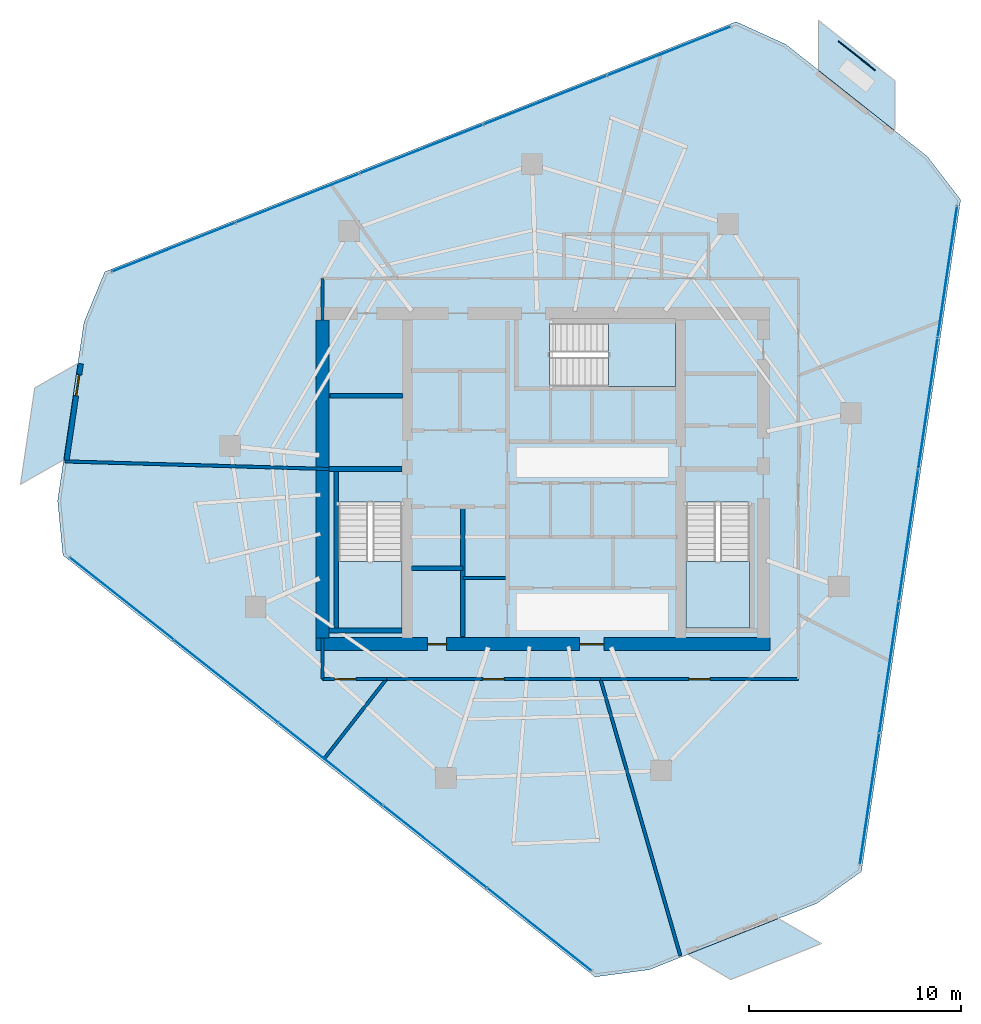
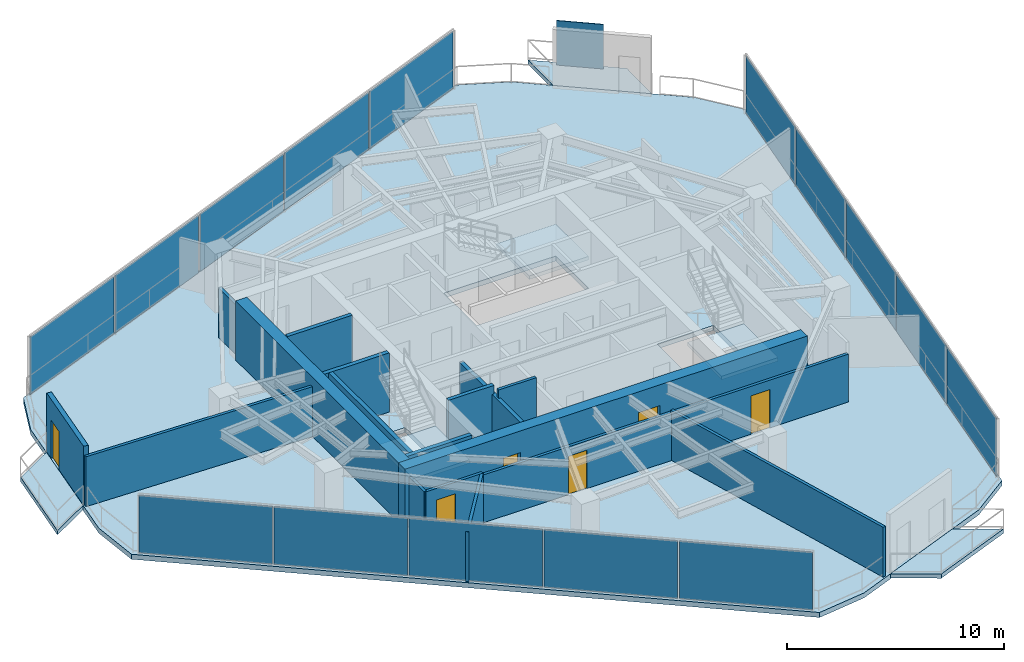
# One storey, part 15 of 20: 18 walls, 16 plates, 7 slabs, 6 doors, 6 openings, 6 elements without a shape of their own.
"""IFC4 building model written with IfcOpenShell, lengths in metres."""

import ifcopenshell
import ifcopenshell.guid

model = None  # the IFC model being written
_history = None  # IfcOwnerHistory: only IFC2X3 demands one
_inside = {}  # id of a spatial element -> (the spatial element, [elements in it])
_under = {}  # id of a project, library or spatial element -> (it, [spatial elements below it])
_declared = {}  # id of a project -> (the project, [libraries it declares])
_typed = {}  # id of a type object -> (the type object, [elements of that type])
_made_of = {}  # id of a material, layer set ... -> (it, [elements and type objects made of it])


def new_model(schema):
    """Start an empty IFC model of exactly this schema.

    Asked for "IFC4X3", IfcOpenShell would pick the latest addendum, in which some entities
    have other attributes; the version numbers below select the first issue.
    IFC2X3 requires an IfcOwnerHistory on every rooted entity: one is made here for all.
    """
    global model, _history
    if schema == "IFC4X3":
        model = ifcopenshell.file(schema_version=(4, 3, 0, 0))
    else:
        model = ifcopenshell.file(schema=schema)
    _inside.clear()
    _under.clear()
    _declared.clear()
    _typed.clear()
    _made_of.clear()
    _history = None
    if model.schema == "IFC2X3":
        org = make("IfcOrganization", Name="unknown")
        user = make(
            "IfcPersonAndOrganization",
            ThePerson=make("IfcPerson", FamilyName="unknown"),
            TheOrganization=org,
        )
        app = make(
            "IfcApplication",
            ApplicationDeveloper=org,
            Version="unknown",
            ApplicationFullName="unknown",
            ApplicationIdentifier="unknown",
        )
        _history = make(
            "IfcOwnerHistory",
            OwningUser=user,
            OwningApplication=app,
            ChangeAction="ADDED",
            CreationDate=0,
        )
    return model


def make(cls, **values):
    """One entity of the class cls with the attributes given. An attribute that is None is left unset."""
    return model.create_entity(
        cls, **{name: value for name, value in values.items() if value is not None}
    )


def rooted(cls, **values):
    """An entity with a GlobalId (a new one), such as an element, a storey or a relation."""
    return make(cls, GlobalId=ifcopenshell.guid.new(), OwnerHistory=_history, **values)


def si_unit(unit_type, name, prefix=None):
    """IfcSIUnit, for example si_unit("LENGTHUNIT", "METRE", prefix="MILLI")."""
    return make("IfcSIUnit", UnitType=unit_type, Prefix=prefix, Name=name)


def assignment(units):
    """IfcUnitAssignment: the units of a project."""
    return None if units is None else make("IfcUnitAssignment", Units=units)


def point(xyz):
    """IfcCartesianPoint."""
    return None if xyz is None else make("IfcCartesianPoint", Coordinates=xyz)


def direction(xyz):
    """IfcDirection."""
    return None if xyz is None else make("IfcDirection", DirectionRatios=xyz)


def frame(location, z_axis=None, x_axis=None):
    """IfcAxis2Placement3D, a coordinate frame: its origin and axes. An axis left out is left unset."""
    return make(
        "IfcAxis2Placement3D",
        Location=point(location),
        Axis=direction(z_axis),
        RefDirection=direction(x_axis),
    )


def frame_2d(location, x_axis=None):
    """IfcAxis2Placement2D, a coordinate frame in the plane: its origin and x axis."""
    return make(
        "IfcAxis2Placement2D", Location=point(location), RefDirection=direction(x_axis)
    )


def origin():
    """The frame at (0, 0, 0) with its axes left unset."""
    return frame((0.0, 0.0, 0.0))


def origin_2d():
    """The frame at (0, 0) in the plane with its x axis left unset."""
    return frame_2d((0.0, 0.0))


def place(relative_to, where):
    """IfcLocalPlacement: puts the frame where relative to a parent placement (None: the world)."""
    return make(
        "IfcLocalPlacement", PlacementRelTo=relative_to, RelativePlacement=where
    )


def context(
    kind, dimensions, precision=None, world=None, true_north=None, identifier=None
):
    """IfcGeometricRepresentationContext, for example the 3D "Model" context."""
    return make(
        "IfcGeometricRepresentationContext",
        ContextIdentifier=identifier,
        ContextType=kind,
        CoordinateSpaceDimension=dimensions,
        Precision=precision,
        WorldCoordinateSystem=world,
        TrueNorth=true_north,
    )


def subcontext(parent, identifier, kind, view, scale=None):
    """IfcGeometricRepresentationSubContext, for example "Body" below "Model"."""
    return make(
        "IfcGeometricRepresentationSubContext",
        ContextIdentifier=identifier,
        ContextType=kind,
        ParentContext=parent,
        TargetScale=scale,
        TargetView=view,
    )


def project(units=None, contexts=None):
    """IfcProject with its units and contexts."""
    return rooted(
        "IfcProject",
        Name="project",
        RepresentationContexts=contexts,
        UnitsInContext=assignment(units),
    )


def spatial(cls, under=None, at=None, **own):
    """A site, building, storey or space (cls), placed at a placement, below another one or the project."""
    s = rooted(cls, ObjectPlacement=at, **own)
    if under is not None:
        _under.setdefault(under.id(), (under, []))[1].append(s)
    return s


def polyline(points):
    """IfcPolyline through the points."""
    return make("IfcPolyline", Points=[point(p) for p in points])


def profile(cls, at=None, kind="AREA", **sizes):
    """A parametric profile (cls). Its sizes go by their IFC names, for example OverallWidth=200.0."""
    return make(cls, ProfileType=kind, Position=at, **sizes)


def rectangle(**sizes):
    """IfcRectangleProfileDef."""
    return profile("IfcRectangleProfileDef", **sizes)


def outline(outer, holes=None, kind="AREA"):
    """IfcArbitraryClosedProfileDef: a profile drawn as a closed curve; with holes, ...WithVoids."""
    if holes is None:
        return make("IfcArbitraryClosedProfileDef", ProfileType=kind, OuterCurve=outer)
    return make(
        "IfcArbitraryProfileDefWithVoids",
        ProfileType=kind,
        OuterCurve=outer,
        InnerCurves=holes,
    )


def extrude(swept, where, along, depth):
    """IfcExtrudedAreaSolid: the profile swept, set in the frame where, extruded along a direction by depth."""
    return make(
        "IfcExtrudedAreaSolid",
        SweptArea=swept,
        Position=where,
        ExtrudedDirection=direction(along),
        Depth=depth,
    )


def shape(context_of_items, identifier, shape_type, items):
    """IfcShapeRepresentation: the items that make up one representation, for example the "Body"."""
    return make(
        "IfcShapeRepresentation",
        ContextOfItems=context_of_items,
        RepresentationIdentifier=identifier,
        RepresentationType=shape_type,
        Items=items,
    )


def material(Name=None, Category=None):
    """IfcMaterial."""
    return make("IfcMaterial", Name=Name, Category=Category)


def layer(
    of_material, thickness, ventilated=None, Name=None, Category=None, Priority=None
):
    """IfcMaterialLayer: one layer of a wall or slab, of a material (None: an air gap)."""
    return make(
        "IfcMaterialLayer",
        Material=of_material,
        LayerThickness=thickness,
        IsVentilated=ventilated,
        Name=Name,
        Category=Category,
        Priority=Priority,
    )


def layer_set(layers, Name=None):
    """IfcMaterialLayerSet."""
    return make("IfcMaterialLayerSet", MaterialLayers=layers, LayerSetName=Name)


def made_of(thing, what):
    """Note that an element or type object is made of a material, layer set ...; save() writes the relation."""
    if what is not None:
        _made_of.setdefault(what.id(), (what, []))[1].append(thing)
    return thing


def type_object(cls, material=None, **own):
    """A type object (cls), such as IfcWallType, which elements share."""
    return made_of(rooted(cls, **own), material)


def element(
    cls,
    number,
    at=None,
    inside=None,
    cuts=None,
    type_object=None,
    material=None,
    context=None,
    identifier="Body",
    shape_type=None,
    held_by="IfcProductDefinitionShape",
    body=None,
    shapes=None,
    **own,
):
    """One element of the class cls, such as IfcWall. Its Tag is "e" and its number.

    at: its placement. inside: the storey or other place that contains it. cuts: it is an
    opening in that element (IfcRelVoidsElement). A single representation is given by context,
    identifier, shape_type and body (its items); several are given by shapes. held_by: the class
    of the entity that holds the representations. save() writes the other relations.
    """
    e = rooted(cls, Tag="e%d" % number, ObjectPlacement=at, **own)
    if body is not None:
        shapes = [shape(context, identifier, shape_type, body)]
    if shapes is not None:
        e.Representation = make(held_by, Representations=shapes)
    if inside is not None:
        _inside.setdefault(inside.id(), (inside, []))[1].append(e)
    if cuts is not None:
        rooted(
            "IfcRelVoidsElement", RelatingBuildingElement=cuts, RelatedOpeningElement=e
        )
    if type_object is not None:
        _typed.setdefault(type_object.id(), (type_object, []))[1].append(e)
    return made_of(e, material)


def fill(opening, filler):
    """IfcRelFillsElement: the door or window that sits in an opening."""
    return rooted(
        "IfcRelFillsElement",
        RelatingOpeningElement=opening,
        RelatedBuildingElement=filler,
    )


def aggregate(whole, parts):
    """IfcRelAggregates: a whole, such as a stair, and the parts it consists of."""
    return rooted("IfcRelAggregates", RelatingObject=whole, RelatedObjects=parts)


def save(model, path):
    """Write the relations noted so far, then the file.

    IfcRelAggregates (storeys below a building ...), IfcRelContainedInSpatialStructure (elements
    in a storey), IfcRelDefinesByType, IfcRelAssociatesMaterial and IfcRelDeclares: one each for
    every whole, place, type object, material and project.
    """
    for whole, parts in _under.values():
        aggregate(whole, parts)
    for where, things in _inside.values():
        rooted(
            "IfcRelContainedInSpatialStructure",
            RelatedElements=things,
            RelatingStructure=where,
        )
    for kind, things in _typed.values():
        rooted("IfcRelDefinesByType", RelatedObjects=things, RelatingType=kind)
    for what, things in _made_of.values():
        rooted("IfcRelAssociatesMaterial", RelatedObjects=things, RelatingMaterial=what)
    for by, libraries in _declared.values():
        rooted("IfcRelDeclares", RelatingContext=by, RelatedDefinitions=libraries)
    model.write(path)


model = new_model("IFC4")

# Units and contexts
model_context = context("Model", 3, precision=1e-05, world=origin(), true_north=direction((0.0, 1.0)))
body_context = subcontext(model_context, "Body", "Model", "MODEL_VIEW")
ifc_project = project(units=[si_unit("LENGTHUNIT", "METRE"), si_unit("AREAUNIT", "SQUARE_METRE"), si_unit("VOLUMEUNIT", "CUBIC_METRE"), si_unit("PLANEANGLEUNIT", "RADIAN"), si_unit("MASSUNIT", "GRAM", prefix="KILO")], contexts=[model_context])

# Site, building, storey
site_placement = place(None, origin())
site = spatial("IfcSite", under=ifc_project, at=site_placement, CompositionType="ELEMENT")
building_placement = place(site_placement, origin())
building = spatial("IfcBuilding", under=site, at=building_placement, Name="Qarnah Convention Tower", CompositionType="ELEMENT")
storey_placement = place(building_placement, frame((0.0, 0.0, 147.300048828125)))
storey = spatial("IfcBuildingStorey", under=building, at=storey_placement, Name="L39", CompositionType="ELEMENT", Elevation=147.300048828125)

# Curtain wall, plates
ifc_material_1 = material(Name="Tempered Low-E dark glass", Category="glass")
ifc_layer_1 = layer(ifc_material_1, 0.172119140625)
ifc_layer_set_1 = layer_set([ifc_layer_1], Name="Tempered Low-E dark glass")
curtain_wall_type = type_object("IfcCurtainWallType", Name="CWS-03", PredefinedType="NOTDEFINED", material=ifc_layer_set_1)
curtain_wall_1_placement = place(storey_placement, origin())
curtain_wall_1 = element("IfcCurtainWall", 1, at=curtain_wall_1_placement, inside=storey, type_object=curtain_wall_type, Name="L39 unitised curtain wall CW-L39-F1", PredefinedType="NOTDEFINED")
ifc_layer_2 = layer(ifc_material_1, 0.031982421875)
ifc_layer_set_2 = layer_set([ifc_layer_2], Name="Tempered Low-E dark glass")
plate_type_1 = type_object("IfcPlateType", Name="PNL-T3", PredefinedType="CURTAIN_PANEL", material=ifc_layer_set_2)
plate_1_placement = place(storey_placement, frame((56.281005859375, 36.171875, 0.0400390625), z_axis=(0.0, 0.0, 1.0), x_axis=(-0.146079316359, -0.989272881126, 0.0)))
plate_1 = element("IfcPlate", 2, at=plate_1_placement, type_object=plate_type_1, Name="CW-L39-F1 curtain panel 1.1", PredefinedType="CURTAIN_PANEL", context=body_context, shape_type="SweptSolid", body=[
    extrude(rectangle(XDim=6.20556640625, YDim=0.031982421875, at=origin_2d()), origin(), (0.0, 0.0, 1.0), 3.239990234375),
])
plate_2_placement = place(storey_placement, frame((55.36279296875, 29.95361328125, 0.0400390625), z_axis=(0.0, 0.0, 1.0), x_axis=(-0.146079316359, -0.989272881126, 0.0)))
plate_2 = element("IfcPlate", 3, at=plate_2_placement, type_object=plate_type_1, Name="CW-L39-F1 curtain panel 2.1", PredefinedType="CURTAIN_PANEL", context=body_context, shape_type="SweptSolid", body=[
    extrude(rectangle(XDim=6.20556640625, YDim=0.031982421875, at=origin_2d()), origin(), (0.0, 0.0, 1.0), 3.239990234375),
])
plate_3_placement = place(storey_placement, frame((54.444580078125, 23.735595703125, 0.0400390625), z_axis=(0.0, 0.0, 1.0), x_axis=(-0.146079316359, -0.989272881126, 0.0)))
plate_3 = element("IfcPlate", 4, at=plate_3_placement, type_object=plate_type_1, Name="CW-L39-F1 curtain panel 3.1", PredefinedType="CURTAIN_PANEL", context=body_context, shape_type="SweptSolid", body=[
    extrude(rectangle(XDim=6.20556640625, YDim=0.031982421875, at=origin_2d()), origin(), (0.0, 0.0, 1.0), 3.239990234375),
])
plate_4_placement = place(storey_placement, frame((53.5263671875, 17.517333984375, 0.0400390625), z_axis=(0.0, 0.0, 1.0), x_axis=(-0.146079316359, -0.989272881126, 0.0)))
plate_4 = element("IfcPlate", 5, at=plate_4_placement, type_object=plate_type_1, Name="CW-L39-F1 curtain panel 4.1", PredefinedType="CURTAIN_PANEL", context=body_context, shape_type="SweptSolid", body=[
    extrude(rectangle(XDim=6.20556640625, YDim=0.031982421875, at=origin_2d()), origin(), (0.0, 0.0, 1.0), 3.239990234375),
])
plate_5_placement = place(storey_placement, frame((52.608154296875, 11.299072265625, 0.0400390625), z_axis=(0.0, 0.0, 1.0), x_axis=(-0.146079316359, -0.989272881126, 0.0)))
plate_5 = element("IfcPlate", 6, at=plate_5_placement, type_object=plate_type_1, Name="CW-L39-F1 curtain panel 5.1", PredefinedType="CURTAIN_PANEL", context=body_context, shape_type="SweptSolid", body=[
    extrude(rectangle(XDim=6.20556640625, YDim=0.031982421875, at=origin_2d()), origin(), (0.0, 0.0, 1.0), 3.239990234375),
])
aggregate(curtain_wall_1, [plate_1, plate_2, plate_3, plate_4, plate_5])

curtain_wall_2_placement = place(storey_placement, origin())
curtain_wall_2 = element("IfcCurtainWall", 7, at=curtain_wall_2_placement, inside=storey, type_object=curtain_wall_type, Name="L39 unitised curtain wall CW-L39-F2", PredefinedType="NOTDEFINED")
plate_6_placement = place(storey_placement, frame((37.031005859375, 5.132080078125, 0.0400390625), z_axis=(0.0, 0.0, 1.0), x_axis=(-0.783688882371, 0.621153552391, 0.0)))
plate_6 = element("IfcPlate", 8, at=plate_6_placement, type_object=plate_type_1, Name="CW-L39-F2 curtain panel 1.1", PredefinedType="CURTAIN_PANEL", context=body_context, shape_type="SweptSolid", body=[
    extrude(rectangle(XDim=6.205322265625, YDim=0.031982421875, at=origin_2d()), origin(), (0.0, 0.0, 1.0), 3.239990234375),
])
plate_7_placement = place(storey_placement, frame((32.105224609375, 9.036376953125, 0.0400390625), z_axis=(0.0, 0.0, 1.0), x_axis=(-0.783688882371, 0.621153552391, 0.0)))
plate_7 = element("IfcPlate", 9, at=plate_7_placement, type_object=plate_type_1, Name="CW-L39-F2 curtain panel 2.1", PredefinedType="CURTAIN_PANEL", context=body_context, shape_type="SweptSolid", body=[
    extrude(rectangle(XDim=6.205322265625, YDim=0.031982421875, at=origin_2d()), origin(), (0.0, 0.0, 1.0), 3.239990234375),
])
plate_8_placement = place(storey_placement, frame((27.179443359375, 12.9404296875, 0.0400390625), z_axis=(0.0, 0.0, 1.0), x_axis=(-0.783688882371, 0.621153552391, 0.0)))
plate_8 = element("IfcPlate", 10, at=plate_8_placement, type_object=plate_type_1, Name="CW-L39-F2 curtain panel 3.1", PredefinedType="CURTAIN_PANEL", context=body_context, shape_type="SweptSolid", body=[
    extrude(rectangle(XDim=6.205322265625, YDim=0.031982421875, at=origin_2d()), origin(), (0.0, 0.0, 1.0), 3.239990234375),
])
plate_9_placement = place(storey_placement, frame((22.253662109375, 16.8447265625, 0.0400390625), z_axis=(0.0, 0.0, 1.0), x_axis=(-0.783688882371, 0.621153552391, 0.0)))
plate_9 = element("IfcPlate", 11, at=plate_9_placement, type_object=plate_type_1, Name="CW-L39-F2 curtain panel 4.1", PredefinedType="CURTAIN_PANEL", context=body_context, shape_type="SweptSolid", body=[
    extrude(rectangle(XDim=6.205322265625, YDim=0.031982421875, at=origin_2d()), origin(), (0.0, 0.0, 1.0), 3.239990234375),
])
plate_10_placement = place(storey_placement, frame((17.327880859375, 20.748779296875, 0.0400390625), z_axis=(0.0, 0.0, 1.0), x_axis=(-0.783688882371, 0.621153552391, 0.0)))
plate_10 = element("IfcPlate", 12, at=plate_10_placement, type_object=plate_type_1, Name="CW-L39-F2 curtain panel 5.1", PredefinedType="CURTAIN_PANEL", context=body_context, shape_type="SweptSolid", body=[
    extrude(rectangle(XDim=6.205322265625, YDim=0.031982421875, at=origin_2d()), origin(), (0.0, 0.0, 1.0), 3.239990234375),
])
aggregate(curtain_wall_2, [plate_6, plate_7, plate_8, plate_9, plate_10])

curtain_wall_3_placement = place(storey_placement, origin())
curtain_wall_3 = element("IfcCurtainWall", 13, at=curtain_wall_3_placement, inside=storey, type_object=curtain_wall_type, Name="L39 unitised curtain wall CW-L39-F3", PredefinedType="NOTDEFINED")
plate_11_placement = place(storey_placement, frame((19.77490234375, 37.322998046875, 0.0400390625), z_axis=(0.0, 0.0, 1.0), x_axis=(0.929776665788, 0.36812409831, 0.0)))
plate_11 = element("IfcPlate", 14, at=plate_11_placement, type_object=plate_type_1, Name="CW-L39-F3 curtain panel 1.1", PredefinedType="CURTAIN_PANEL", context=body_context, shape_type="SweptSolid", body=[
    extrude(rectangle(XDim=6.205322265625, YDim=0.031982421875, at=origin_2d()), origin(), (0.0, 0.0, 1.0), 3.239990234375),
])
plate_12_placement = place(storey_placement, frame((25.618896484375, 39.63671875, 0.0400390625), z_axis=(0.0, 0.0, 1.0), x_axis=(0.929776665788, 0.36812409831, 0.0)))
plate_12 = element("IfcPlate", 15, at=plate_12_placement, type_object=plate_type_1, Name="CW-L39-F3 curtain panel 2.1", PredefinedType="CURTAIN_PANEL", context=body_context, shape_type="SweptSolid", body=[
    extrude(rectangle(XDim=6.205322265625, YDim=0.031982421875, at=origin_2d()), origin(), (0.0, 0.0, 1.0), 3.239990234375),
])
plate_13_placement = place(storey_placement, frame((31.462890625, 41.950439453125, 0.0400390625), z_axis=(0.0, 0.0, 1.0), x_axis=(0.929776665788, 0.36812409831, 0.0)))
plate_13 = element("IfcPlate", 16, at=plate_13_placement, type_object=plate_type_1, Name="CW-L39-F3 curtain panel 3.1", PredefinedType="CURTAIN_PANEL", context=body_context, shape_type="SweptSolid", body=[
    extrude(rectangle(XDim=6.205322265625, YDim=0.031982421875, at=origin_2d()), origin(), (0.0, 0.0, 1.0), 3.239990234375),
])
plate_14_placement = place(storey_placement, frame((37.306884765625, 44.264404296875, 0.0400390625), z_axis=(0.0, 0.0, 1.0), x_axis=(0.929776665788, 0.36812409831, 0.0)))
plate_14 = element("IfcPlate", 17, at=plate_14_placement, type_object=plate_type_1, Name="CW-L39-F3 curtain panel 4.1", PredefinedType="CURTAIN_PANEL", context=body_context, shape_type="SweptSolid", body=[
    extrude(rectangle(XDim=6.205322265625, YDim=0.031982421875, at=origin_2d()), origin(), (0.0, 0.0, 1.0), 3.239990234375),
])
plate_15_placement = place(storey_placement, frame((43.15087890625, 46.578125, 0.0400390625), z_axis=(0.0, 0.0, 1.0), x_axis=(0.929776665788, 0.36812409831, 0.0)))
plate_15 = element("IfcPlate", 18, at=plate_15_placement, type_object=plate_type_1, Name="CW-L39-F3 curtain panel 5.1", PredefinedType="CURTAIN_PANEL", context=body_context, shape_type="SweptSolid", body=[
    extrude(rectangle(XDim=6.205322265625, YDim=0.031982421875, at=origin_2d()), origin(), (0.0, 0.0, 1.0), 3.239990234375),
])
aggregate(curtain_wall_3, [plate_11, plate_12, plate_13, plate_14, plate_15])

# Plate
ifc_material_2 = material(Name="Black anodised aluminium", Category="aluminium")
ifc_layer_3 = layer(ifc_material_2, 0.044921875)
ifc_layer_set_3 = layer_set([ifc_layer_3], Name="Black anodised aluminium")
plate_type_2 = type_object("IfcPlateType", Name="SCR-BAL-18", PredefinedType="USERDEFINED", material=ifc_layer_set_3)
plate_16_placement = place(storey_placement, frame((52.006103515625, 46.35205078125, 0.0), z_axis=(0.0, 0.0, 1.0), x_axis=(0.78361756396, -0.62124352186, 0.0)))
element("IfcPlate", 19, at=plate_16_placement, inside=storey, type_object=plate_type_2, Name="L39 perforated desert solar screen BAL-L39-C1", ObjectType="SCREEN", PredefinedType="USERDEFINED", context=body_context, shape_type="SweptSolid", body=[
    extrude(rectangle(XDim=2.199951171875, YDim=0.044921875, at=origin_2d()), origin(), (0.0, 0.0, 1.0), 2.5),
])

# Slabs
ifc_material_3 = material(Name="Concrete C45/55", Category="concrete")
ifc_layer_4 = layer(ifc_material_3, 0.239990234375)
ifc_layer_set_4 = layer_set([ifc_layer_4], Name="Concrete C45/55")
slab_type_1 = type_object("IfcSlabType", Name="SLB-BAL-240", PredefinedType="USERDEFINED", material=ifc_layer_set_4)
slab_1_placement = place(storey_placement, frame((0.0, 0.0, -0.239990234375)))
element("IfcSlab", 20, at=slab_1_placement, inside=storey, type_object=slab_type_1, Name="L39 cantilevered balcony slab BAL-L39-C1", ObjectType="BALCONY", PredefinedType="USERDEFINED", context=body_context, shape_type="SweptSolid", body=[
    extrude(outline(polyline([(50.205078125, 48.02099609375), (53.81005859375, 45.1630859375), (53.79296875, 42.81689453125), (50.18798828125, 45.674072265625), (50.205078125, 48.02099609375)])), origin(), (0.0, 0.0, 1.0), 0.239990234375),
])
slab_2_placement = place(storey_placement, frame((0.0, 0.0, -0.239990234375)))
element("IfcSlab", 21, at=slab_2_placement, inside=storey, type_object=slab_type_1, Name="L39 cantilevered balcony slab BAL-L39-C2", ObjectType="BALCONY", PredefinedType="USERDEFINED", context=body_context, shape_type="SweptSolid", body=[
    extrude(outline(polyline([(12.552001953125, 26.135986328125), (13.22412109375, 30.68701171875), (15.263916015625, 31.845947265625), (14.592041015625, 27.2958984375), (12.552001953125, 26.135986328125)])), origin(), (0.0, 0.0, 1.0), 0.239990234375),
])
slab_3_placement = place(storey_placement, frame((0.0, 0.0, -0.239990234375)))
element("IfcSlab", 22, at=slab_3_placement, inside=storey, type_object=slab_type_1, Name="L39 cantilevered balcony slab BAL-L39-C3", ObjectType="BALCONY", PredefinedType="USERDEFINED", context=body_context, shape_type="SweptSolid", body=[
    extrude(outline(polyline([(50.3310546875, 4.469970703125), (46.053955078125, 2.777099609375), (44.030029296875, 3.964111328125), (48.306884765625, 5.657958984375), (50.3310546875, 4.469970703125)])), origin(), (0.0, 0.0, 1.0), 0.239990234375),
])

# Stair, slab
ifc_material_4 = material(Name="Concrete C50/60", Category="concrete")
stair_type = type_object("IfcStairType", Name="STR-OFF", PredefinedType="HALF_TURN_STAIR", material=ifc_material_4)
stair_1_placement = place(storey_placement, origin())
stair_1 = element("IfcStair", 23, at=stair_1_placement, inside=storey, type_object=stair_type, Name="L39 Core exit stair ST-1", PredefinedType="HALF_TURN_STAIR")
ifc_layer_5 = layer(ifc_material_4, 0.199951171875)
ifc_layer_set_5 = layer_set([ifc_layer_5], Name="Concrete C50/60")
slab_type_2 = type_object("IfcSlabType", Name="SLB-LANDING-200", PredefinedType="LANDING", material=ifc_layer_set_5)
slab_4_placement = place(storey_placement, frame((0.0, 0.0, 1.599853515625)))
slab_4 = element("IfcSlab", 24, at=slab_4_placement, type_object=slab_type_2, Name="ST-1 landing 1", PredefinedType="LANDING", context=body_context, shape_type="SweptSolid", body=[
    extrude(outline(polyline([(27.550048828125, 22.5), (27.550048828125, 19.35009765625), (30.550048828125, 19.35009765625), (30.550048828125, 22.5), (27.550048828125, 22.5)])), origin(), (0.0, 0.0, 1.0), 0.2001953125),
])
aggregate(stair_1, [slab_4])

stair_2_placement = place(storey_placement, origin())
stair_2 = element("IfcStair", 25, at=stair_2_placement, inside=storey, type_object=stair_type, Name="L39 Core exit stair ST-2", PredefinedType="HALF_TURN_STAIR")
slab_5_placement = place(storey_placement, frame((0.0, 0.0, 1.599853515625)))
slab_5 = element("IfcSlab", 26, at=slab_5_placement, type_object=slab_type_2, Name="ST-2 landing 1", PredefinedType="LANDING", context=body_context, shape_type="SweptSolid", body=[
    extrude(outline(polyline([(43.949951171875, 22.5), (43.949951171875, 19.35009765625), (46.949951171875, 19.35009765625), (46.949951171875, 22.5), (43.949951171875, 22.5)])), origin(), (0.0, 0.0, 1.0), 0.2001953125),
])
aggregate(stair_2, [slab_5])

stair_3_placement = place(storey_placement, origin())
stair_3 = element("IfcStair", 27, at=stair_3_placement, inside=storey, type_object=stair_type, Name="L39 Core exit stair ST-3", PredefinedType="HALF_TURN_STAIR")
slab_6_placement = place(storey_placement, frame((0.0, 0.0, 1.599853515625)))
slab_6 = element("IfcSlab", 28, at=slab_6_placement, type_object=slab_type_2, Name="ST-3 landing 1", PredefinedType="LANDING", context=body_context, shape_type="SweptSolid", body=[
    extrude(outline(polyline([(40.300048828125, 30.75), (43.449951171875, 30.75), (43.449951171875, 33.75), (40.300048828125, 33.75), (40.300048828125, 30.75)])), origin(), (0.0, 0.0, 1.0), 0.2001953125),
])
aggregate(stair_3, [slab_6])

# Slab
ifc_layer_6 = layer(ifc_material_3, 0.280029296875)
ifc_layer_set_6 = layer_set([ifc_layer_6], Name="Concrete C45/55")
slab_type_3 = type_object("IfcSlabType", Name="SLB-TWR-280", PredefinedType="FLOOR", material=ifc_layer_set_6)
slab_7_placement = place(storey_placement, frame((0.0, 0.0, -0.280029296875)))
element("IfcSlab", 29, at=slab_7_placement, inside=storey, type_object=slab_type_3, Name="L39 structural floor slab", PredefinedType="FLOOR", context=body_context, shape_type="SweptSolid", body=[
    extrude(outline(polyline([(46.30810546875, 47.95703125), (16.530029296875, 36.1669921875), (15.5458984375, 33.780029296875), (14.302978515625, 25.364013671875), (14.554931640625, 22.79296875), (39.655029296875, 2.89990234375), (42.215087890625, 3.240966796875), (50.1240234375, 6.373046875), (52.22412109375, 7.8759765625), (56.903076171875, 39.56005859375), (55.326904296875, 41.60595703125), (48.659912109375, 46.889892578125), (46.30810546875, 47.95703125)]), holes=[polyline([(27.550048828125, 25.300048828125), (27.550048828125, 19.35009765625), (30.550048828125, 19.35009765625), (30.550048828125, 25.300048828125), (27.550048828125, 25.300048828125)]), polyline([(43.949951171875, 25.300048828125), (43.949951171875, 19.35009765625), (46.949951171875, 19.35009765625), (46.949951171875, 25.300048828125), (43.949951171875, 25.300048828125)]), polyline([(37.5, 30.75), (43.449951171875, 30.75), (43.449951171875, 33.75), (37.5, 33.75), (37.5, 30.75)])]), origin(), (0.0, 0.0, 1.0), 0.280029296875),
])

# Wall, openings, doors
ifc_material_5 = material(Name="Concrete C60/75", Category="concrete")
ifc_layer_7 = layer(ifc_material_5, 0.60009765625)
ifc_layer_set_7 = layer_set([ifc_layer_7], Name="Concrete C60/75")
wall_type_1 = type_object("IfcWallType", Name="WL-CORE-600", PredefinedType="SHEAR", material=ifc_layer_set_7)
wall_1_placement = place(storey_placement, frame((26.5, 18.60009765625, 0.0), z_axis=(0.0, 0.0, 1.0), x_axis=(1.0, 0.0, 0.0)))
wall_1 = element("IfcWall", 30, at=wall_1_placement, inside=storey, type_object=wall_type_1, Name="L39 core south shear wall", PredefinedType="SHEAR", context=body_context, shape_type="SweptSolid", body=[
    extrude(rectangle(XDim=21.39990234375, YDim=0.60009765625, at=frame_2d((10.699951171875, 0.0))), origin(), (0.0, 0.0, 1.0), 3.320068359375),
])
opening_1_placement = place(wall_1_placement, frame((12.425048828125, 0.0, 0.0)))
opening_1 = element("IfcOpeningElement", 31, at=opening_1_placement, cuts=wall_1, Name="Opening D-3907", PredefinedType="OPENING", context=body_context, shape_type="SweptSolid", body=[
    extrude(rectangle(XDim=1.14990234375, YDim=2.14990234375, at=frame_2d((0.574951171875, 1.074951171875))), frame((0.0, 0.31005859375, 0.0), z_axis=(0.0, -1.0, 0.0), x_axis=(1.0, 0.0, 0.0)), (0.0, 0.0, 1.0), 0.6201171875),
])
opening_2_placement = place(wall_1_placement, frame((5.25, 0.0, 0.0)))
opening_2 = element("IfcOpeningElement", 32, at=opening_2_placement, cuts=wall_1, Name="Opening D-3913", PredefinedType="OPENING", context=body_context, shape_type="SweptSolid", body=[
    extrude(rectangle(XDim=0.89990234375, YDim=2.10009765625, at=frame_2d((0.449951171875, 1.050048828125))), frame((0.0, 0.31005859375, 0.0), z_axis=(0.0, -1.0, 0.0), x_axis=(1.0, 0.0, 0.0)), (0.0, 0.0, 1.0), 0.6201171875),
])
ifc_material_6 = material(Name="Structural steel S355JR", Category="steel")
door_type_1 = type_object("IfcDoorType", Name="DT-LOBBY-1150", OperationType="NOTDEFINED", PredefinedType="DOOR", material=ifc_material_6)
door_1_placement = place(opening_1_placement, origin())
door_1 = element("IfcDoor", 33, at=door_1_placement, inside=storey, type_object=door_type_1, Name="Door D-3907", OperationType="SINGLE_SWING_LEFT", OverallHeight=2.14990234375, OverallWidth=1.14990234375, PredefinedType="DOOR", context=body_context, shape_type="SweptSolid", body=[
    extrude(rectangle(XDim=1.14990234375, YDim=2.14990234375, at=frame_2d((0.574951171875, 1.074951171875))), frame((0.0, 0.02490234375, 0.0), z_axis=(0.0, -1.0, 0.0), x_axis=(1.0, 0.0, 0.0)), (0.0, 0.0, 1.0), 0.050048828125),
])
fill(opening_1, door_1)
door_type_2 = type_object("IfcDoorType", Name="DT-RISER-900", OperationType="NOTDEFINED", PredefinedType="DOOR", material=ifc_material_6)
door_2_placement = place(opening_2_placement, origin())
door_2 = element("IfcDoor", 34, at=door_2_placement, inside=storey, type_object=door_type_2, Name="Door D-3913", OperationType="SINGLE_SWING_LEFT", OverallHeight=2.10009765625, OverallWidth=0.89990234375, PredefinedType="DOOR", context=body_context, shape_type="SweptSolid", body=[
    extrude(rectangle(XDim=0.89990234375, YDim=2.10009765625, at=frame_2d((0.449951171875, 1.050048828125))), frame((0.0, 0.02490234375, 0.0), z_axis=(0.0, -1.0, 0.0), x_axis=(1.0, 0.0, 0.0)), (0.0, 0.0, 1.0), 0.050048828125),
])
fill(opening_2, door_2)

# Walls
wall_2_placement = place(storey_placement, frame((26.800048828125, 18.89990234375, 0.0), z_axis=(0.0, 0.0, 1.0), x_axis=(0.0, 1.0, 0.0)))
element("IfcWall", 35, at=wall_2_placement, inside=storey, type_object=wall_type_1, Name="L39 core west shear wall", PredefinedType="SHEAR", context=body_context, shape_type="SweptSolid", body=[
    extrude(rectangle(XDim=15.0, YDim=0.60009765625, at=frame_2d((7.5, 0.0))), origin(), (0.0, 0.0, 1.0), 3.320068359375),
])
ifc_layer_8 = layer(ifc_material_3, 0.199951171875)
ifc_layer_set_8 = layer_set([ifc_layer_8], Name="Concrete C45/55")
wall_type_2 = type_object("IfcWallType", Name="WL-CORE-PART-200", PredefinedType="SOLIDWALL", material=ifc_layer_set_8)
wall_3_placement = place(storey_placement, frame((27.14990234375, 30.320068359375, 0.0), z_axis=(0.0, 0.0, 1.0), x_axis=(1.0, 0.0, 0.0)))
element("IfcWall", 36, at=wall_3_placement, inside=storey, type_object=wall_type_2, Name="L39 interior wall IW-L39-ELRN", PredefinedType="SOLIDWALL", context=body_context, shape_type="SweptSolid", body=[
    extrude(rectangle(XDim=3.4501953125, YDim=0.199951171875, at=frame_2d((1.72509765625, 0.0))), origin(), (0.0, 0.0, 1.0), 3.320068359375),
])
wall_4_placement = place(storey_placement, frame((33.419921875, 18.949951171875, 0.0), z_axis=(0.0, 0.0, 1.0), x_axis=(0.0, 1.0, 0.0)))
element("IfcWall", 37, at=wall_4_placement, inside=storey, type_object=wall_type_2, Name="L39 interior wall IW-L39-SVLE", PredefinedType="SOLIDWALL", context=body_context, shape_type="SweptSolid", body=[
    extrude(rectangle(XDim=6.130126953125, YDim=0.199951171875, at=frame_2d((3.06494140625, 0.0))), origin(), (0.0, 0.0, 1.0), 2.841064453125),
])
wall_5_placement = place(storey_placement, frame((31.0, 22.179931640625, 0.0), z_axis=(0.0, 0.0, 1.0), x_axis=(1.0, 0.0, 0.0)))
element("IfcWall", 38, at=wall_5_placement, inside=storey, type_object=wall_type_2, Name="L39 interior wall IW-L39-SVLS", PredefinedType="SOLIDWALL", context=body_context, shape_type="SweptSolid", body=[
    extrude(rectangle(XDim=2.419921875, YDim=0.199951171875, at=frame_2d((1.2099609375, 0.0))), origin(), (0.0, 0.0, 1.0), 3.320068359375),
])
ifc_layer_9 = layer(ifc_material_5, 0.219970703125)
ifc_layer_set_9 = layer_set([ifc_layer_9], Name="Concrete C60/75")
wall_type_3 = type_object("IfcWallType", Name="WL-CORE-STAIR-220", PredefinedType="SHEAR", material=ifc_layer_set_9)
wall_6_placement = place(storey_placement, frame((27.10009765625, 26.860107421875, 0.0), z_axis=(0.0, 0.0, 1.0), x_axis=(1.0, 0.0, 0.0)))
element("IfcWall", 39, at=wall_6_placement, inside=storey, type_object=wall_type_3, Name="L39 stair shaft shear wall SW-L39-ST1N", PredefinedType="SHEAR", context=body_context, shape_type="SweptSolid", body=[
    extrude(rectangle(XDim=3.449951171875, YDim=0.219970703125, at=frame_2d((1.72509765625, 0.0))), origin(), (0.0, 0.0, 1.0), 3.320068359375),
])
wall_7_placement = place(storey_placement, frame((27.43994140625, 19.35009765625, 0.0), z_axis=(0.0, 0.0, 1.0), x_axis=(0.0, 1.0, 0.0)))
element("IfcWall", 40, at=wall_7_placement, inside=storey, type_object=wall_type_3, Name="L39 stair shaft shear wall SW-L39-ST1W", PredefinedType="SHEAR", context=body_context, shape_type="SweptSolid", body=[
    extrude(rectangle(XDim=7.39990234375, YDim=0.219970703125, at=frame_2d((3.699951171875, 0.0))), origin(), (0.0, 0.0, 1.0), 3.320068359375),
])
wall_8_placement = place(storey_placement, frame((27.10009765625, 19.239990234375, 0.0), z_axis=(0.0, 0.0, 1.0), x_axis=(1.0, 0.0, 0.0)))
element("IfcWall", 41, at=wall_8_placement, inside=storey, type_object=wall_type_3, Name="L39 stair shaft shear wall SW-L39-ST1S", PredefinedType="SHEAR", context=body_context, shape_type="SweptSolid", body=[
    extrude(rectangle(XDim=3.449951171875, YDim=0.219970703125, at=frame_2d((1.72509765625, 0.0))), origin(), (0.0, 0.0, 1.0), 3.320068359375),
])

# Wall, opening, door
ifc_material_7 = material(Name="Precast concrete C45/55", Category="concrete")
ifc_layer_10 = layer(ifc_material_7, 0.239990234375)
ifc_layer_set_10 = layer_set([ifc_layer_10], Name="Precast concrete C45/55")
wall_type_4 = type_object("IfcWallType", Name="WL-EXT-BAL-240", PredefinedType="SOLIDWALL", material=ifc_layer_set_10)
wall_9_placement = place(storey_placement, frame((14.72705078125, 27.27587890625, 0.0), z_axis=(0.0, 0.0, 1.0), x_axis=(0.146079250713, 0.98927289082, 0.0)))
wall_9 = element("IfcWall", 42, at=wall_9_placement, inside=storey, type_object=wall_type_4, Name="L39 loggia threshold wall BAL-L39-C2", PredefinedType="SOLIDWALL", context=body_context, shape_type="SweptSolid", body=[
    extrude(rectangle(XDim=4.599365234375, YDim=0.239990234375, at=frame_2d((2.2998046875, 0.0))), origin(), (0.0, 0.0, 1.0), 3.320068359375),
])
opening_3_placement = place(wall_9_placement, frame((3.0791015625, 0.0, 0.0)))
opening_3 = element("IfcOpeningElement", 43, at=opening_3_placement, cuts=wall_9, Name="Opening BD-3902", PredefinedType="OPENING", context=body_context, shape_type="SweptSolid", body=[
    extrude(rectangle(XDim=1.0, YDim=2.14990234375, at=frame_2d((0.5, 1.074951171875))), frame((0.0, 0.1298828125, 0.0), z_axis=(0.0, -1.0, 0.0), x_axis=(1.0, 0.0, 0.0)), (0.0, 0.0, 1.0), 0.260009765625),
])
door_type_3 = type_object("IfcDoorType", Name="DT-BAL-1000", OperationType="NOTDEFINED", PredefinedType="DOOR", material=ifc_material_2)
door_3_placement = place(opening_3_placement, origin())
door_3 = element("IfcDoor", 44, at=door_3_placement, inside=storey, type_object=door_type_3, Name="L39 balcony terrace door BAL-L39-C2", OperationType="SINGLE_SWING_LEFT", OverallHeight=2.14990234375, OverallWidth=1.0, PredefinedType="DOOR", context=body_context, shape_type="SweptSolid", body=[
    extrude(rectangle(XDim=1.0, YDim=2.14990234375, at=frame_2d((0.5, 1.074951171875))), frame((0.0, 0.02490234375, 0.0), z_axis=(0.0, -1.0, 0.0), x_axis=(1.0, 0.0, 0.0)), (0.0, 0.0, 1.0), 0.050048828125),
])
fill(opening_3, door_3)

# Walls
ifc_material_8 = material(Name="Gypsum partition board")
ifc_layer_11 = layer(ifc_material_8, 0.14990234375)
ifc_layer_set_11 = layer_set([ifc_layer_11], Name="Gypsum partition board")
wall_type_5 = type_object("IfcWallType", Name="WL-SUITE-150", PredefinedType="PARTITIONING", material=ifc_layer_set_11)
wall_10_placement = place(storey_placement, frame((33.419921875, 21.719970703125, 0.0), z_axis=(0.0, 0.0, 1.0), x_axis=(1.0, 0.0, 0.0)))
element("IfcWall", 45, at=wall_10_placement, inside=storey, type_object=wall_type_5, Name="L39 interior wall IW-L39-CSV1", PredefinedType="PARTITIONING", context=body_context, shape_type="SweptSolid", body=[
    extrude(rectangle(XDim=2.0, YDim=0.14990234375, at=frame_2d((1.0, 0.0))), origin(), (0.0, 0.0, 1.0), 3.320068359375),
])
wall_11_placement = place(storey_placement, frame((14.656982421875, 27.218017578125, 0.0), z_axis=(0.0, 0.0, 1.0), x_axis=(0.999586581012, -0.028751818388, 0.0)))
element("IfcWall", 46, at=wall_11_placement, inside=storey, type_object=wall_type_5, Name="L39 interior wall IW-L39-R-19", PredefinedType="PARTITIONING", context=body_context, shape_type="SweptSolid", body=[
    extrude(rectangle(XDim=12.4482421875, YDim=0.14990234375, at=frame_2d((6.22412109375, 0.0))), origin(), (0.0, 0.0, 1.0), 2.804931640625),
])
wall_12_placement = place(storey_placement, frame((26.800048828125, 33.89990234375, 0.0), z_axis=(0.0, 0.0, 1.0), x_axis=(0.0, 1.0, 0.0)))
element("IfcWall", 47, at=wall_12_placement, inside=storey, type_object=wall_type_5, Name="L39 interior wall IW-L39-R-20", PredefinedType="PARTITIONING", context=body_context, shape_type="SweptSolid", body=[
    extrude(rectangle(XDim=1.9501953125, YDim=0.14990234375, at=frame_2d((0.97509765625, 0.0))), origin(), (0.0, 0.0, 1.0), 2.804931640625),
])
wall_13_placement = place(storey_placement, frame((26.846923828125, 13.153076171875, 0.0), z_axis=(0.0, 0.0, 1.0), x_axis=(0.616115691218, 0.787655670351, 0.0)))
element("IfcWall", 48, at=wall_13_placement, inside=storey, type_object=wall_type_5, Name="L39 interior wall IW-L39-R-22", PredefinedType="PARTITIONING", context=body_context, shape_type="SweptSolid", body=[
    extrude(rectangle(XDim=4.820556640625, YDim=0.14990234375, at=frame_2d((2.41015625, 0.0))), origin(), (0.0, 0.0, 1.0), 2.804931640625),
])

# Wall, opening, door
wall_14_placement = place(storey_placement, frame((29.81689453125, 16.949951171875, 0.0), z_axis=(0.0, 0.0, 1.0), x_axis=(-1.0, 0.0, 0.0)))
wall_14 = element("IfcWall", 49, at=wall_14_placement, inside=storey, type_object=wall_type_5, Name="L39 interior wall IW-L39-R-23", PredefinedType="PARTITIONING", context=body_context, shape_type="SweptSolid", body=[
    extrude(rectangle(XDim=3.016845703125, YDim=0.14990234375, at=frame_2d((1.50830078125, 0.0))), origin(), (0.0, 0.0, 1.0), 2.804931640625),
])
opening_4_placement = place(wall_14_placement, frame((1.447998046875, 0.0, 0.0)))
opening_4 = element("IfcOpeningElement", 50, at=opening_4_placement, cuts=wall_14, Name="Opening D-3924", PredefinedType="OPENING", context=body_context, shape_type="SweptSolid", body=[
    extrude(rectangle(XDim=1.0, YDim=2.14990234375, at=frame_2d((0.5, 1.074951171875))), frame((0.0, 0.0849609375, 0.0), z_axis=(0.0, -1.0, 0.0), x_axis=(1.0, 0.0, 0.0)), (0.0, 0.0, 1.0), 0.169921875),
])
ifc_material_9 = material(Name="Oak timber veneer", Category="wood")
door_type_4 = type_object("IfcDoorType", Name="DT-OFFICE-1000", OperationType="NOTDEFINED", PredefinedType="DOOR", material=ifc_material_9)
door_4_placement = place(opening_4_placement, origin())
door_4 = element("IfcDoor", 51, at=door_4_placement, inside=storey, type_object=door_type_4, Name="Door D-3924", OperationType="SINGLE_SWING_RIGHT", OverallHeight=2.14990234375, OverallWidth=1.0, PredefinedType="DOOR", context=body_context, shape_type="SweptSolid", body=[
    extrude(rectangle(XDim=1.0, YDim=2.14990234375, at=frame_2d((0.5, 1.074951171875))), frame((0.0, 0.02490234375, 0.0), z_axis=(0.0, -1.0, 0.0), x_axis=(1.0, 0.0, 0.0)), (0.0, 0.0, 1.0), 0.050048828125),
])
fill(opening_4, door_4)

# Walls
wall_15_placement = place(storey_placement, frame((26.800048828125, 16.949951171875, 0.0), z_axis=(0.0, 0.0, 1.0), x_axis=(0.0, 1.0, 0.0)))
element("IfcWall", 52, at=wall_15_placement, inside=storey, type_object=wall_type_5, Name="L39 interior wall IW-L39-R-24", PredefinedType="PARTITIONING", context=body_context, shape_type="SweptSolid", body=[
    extrude(rectangle(XDim=1.949951171875, YDim=0.14990234375, at=frame_2d((0.97509765625, 0.0))), origin(), (0.0, 0.0, 1.0), 2.804931640625),
])
wall_16_placement = place(storey_placement, frame((43.677978515625, 3.906005859375, 0.0), z_axis=(0.0, 0.0, 1.0), x_axis=(-0.277527113254, 0.960717805294, 0.0)))
element("IfcWall", 53, at=wall_16_placement, inside=storey, type_object=wall_type_5, Name="L39 interior wall IW-L39-R-25", PredefinedType="PARTITIONING", context=body_context, shape_type="SweptSolid", body=[
    extrude(rectangle(XDim=13.577392578125, YDim=0.14990234375, at=frame_2d((6.78857421875, 0.0))), origin(), (0.0, 0.0, 1.0), 2.804931640625),
])

# Wall, opening, door
wall_17_placement = place(storey_placement, frame((39.909912109375, 16.949951171875, 0.0), z_axis=(0.0, 0.0, 1.0), x_axis=(-1.0, 0.0, 0.0)))
wall_17 = element("IfcWall", 54, at=wall_17_placement, inside=storey, type_object=wall_type_5, Name="L39 interior wall IW-L39-R-26", PredefinedType="PARTITIONING", context=body_context, shape_type="SweptSolid", body=[
    extrude(rectangle(XDim=10.093017578125, YDim=0.14990234375, at=frame_2d((5.04638671875, 0.0))), origin(), (0.0, 0.0, 1.0), 2.68701171875),
])
opening_5_placement = place(wall_17_placement, frame((4.5458984375, 0.0, 0.0)))
opening_5 = element("IfcOpeningElement", 55, at=opening_5_placement, cuts=wall_17, Name="Opening D-3925", PredefinedType="OPENING", context=body_context, shape_type="SweptSolid", body=[
    extrude(rectangle(XDim=1.0, YDim=2.14990234375, at=frame_2d((0.5, 1.074951171875))), frame((0.0, 0.0849609375, 0.0), z_axis=(0.0, -1.0, 0.0), x_axis=(1.0, 0.0, 0.0)), (0.0, 0.0, 1.0), 0.169921875),
])
door_5_placement = place(opening_5_placement, origin())
door_5 = element("IfcDoor", 56, at=door_5_placement, inside=storey, type_object=door_type_4, Name="Door D-3925", OperationType="SINGLE_SWING_LEFT", OverallHeight=2.14990234375, OverallWidth=1.0, PredefinedType="DOOR", context=body_context, shape_type="SweptSolid", body=[
    extrude(rectangle(XDim=1.0, YDim=2.14990234375, at=frame_2d((0.5, 1.074951171875))), frame((0.0, 0.02490234375, 0.0), z_axis=(0.0, -1.0, 0.0), x_axis=(1.0, 0.0, 0.0)), (0.0, 0.0, 1.0), 0.050048828125),
])
fill(opening_5, door_5)

wall_18_placement = place(storey_placement, frame((49.25, 16.949951171875, 0.0), z_axis=(0.0, 0.0, 1.0), x_axis=(-1.0, 0.0, 0.0)))
wall_18 = element("IfcWall", 57, at=wall_18_placement, inside=storey, type_object=wall_type_5, Name="L39 interior wall IW-L39-R-30", PredefinedType="PARTITIONING", context=body_context, shape_type="SweptSolid", body=[
    extrude(rectangle(XDim=9.340087890625, YDim=0.14990234375, at=frame_2d((4.669921875, 0.0))), origin(), (0.0, 0.0, 1.0), 2.68701171875),
])
opening_6_placement = place(wall_18_placement, frame((4.169921875, 0.0, 0.0)))
opening_6 = element("IfcOpeningElement", 58, at=opening_6_placement, cuts=wall_18, Name="Opening D-3926", PredefinedType="OPENING", context=body_context, shape_type="SweptSolid", body=[
    extrude(rectangle(XDim=1.0, YDim=2.14990234375, at=frame_2d((0.5, 1.074951171875))), frame((0.0, 0.0849609375, 0.0), z_axis=(0.0, -1.0, 0.0), x_axis=(1.0, 0.0, 0.0)), (0.0, 0.0, 1.0), 0.169921875),
])
door_6_placement = place(opening_6_placement, origin())
door_6 = element("IfcDoor", 59, at=door_6_placement, inside=storey, type_object=door_type_4, Name="Door D-3926", OperationType="SINGLE_SWING_RIGHT", OverallHeight=2.14990234375, OverallWidth=1.0, PredefinedType="DOOR", context=body_context, shape_type="SweptSolid", body=[
    extrude(rectangle(XDim=1.0, YDim=2.14990234375, at=frame_2d((0.5, 1.074951171875))), frame((0.0, 0.02490234375, 0.0), z_axis=(0.0, -1.0, 0.0), x_axis=(1.0, 0.0, 0.0)), (0.0, 0.0, 1.0), 0.050048828125),
])
fill(opening_6, door_6)

save(model, "model.ifc")
